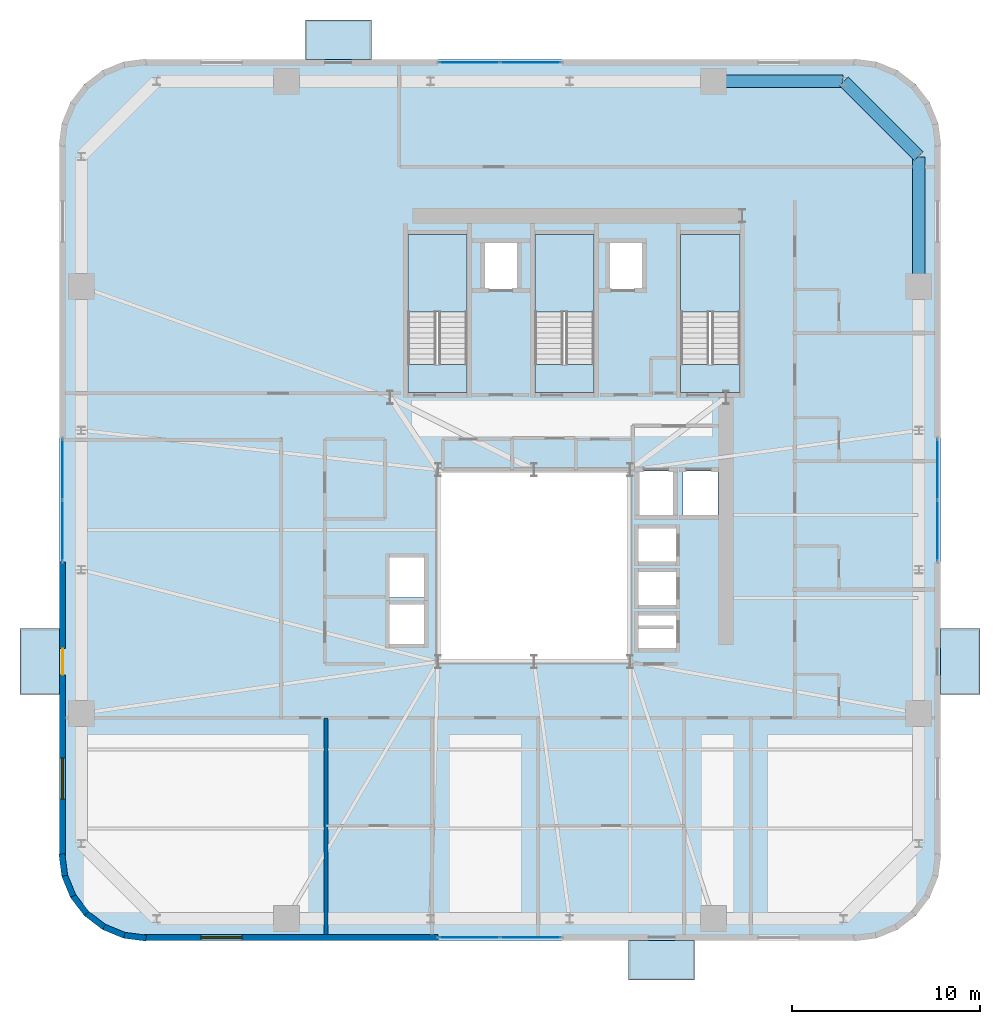
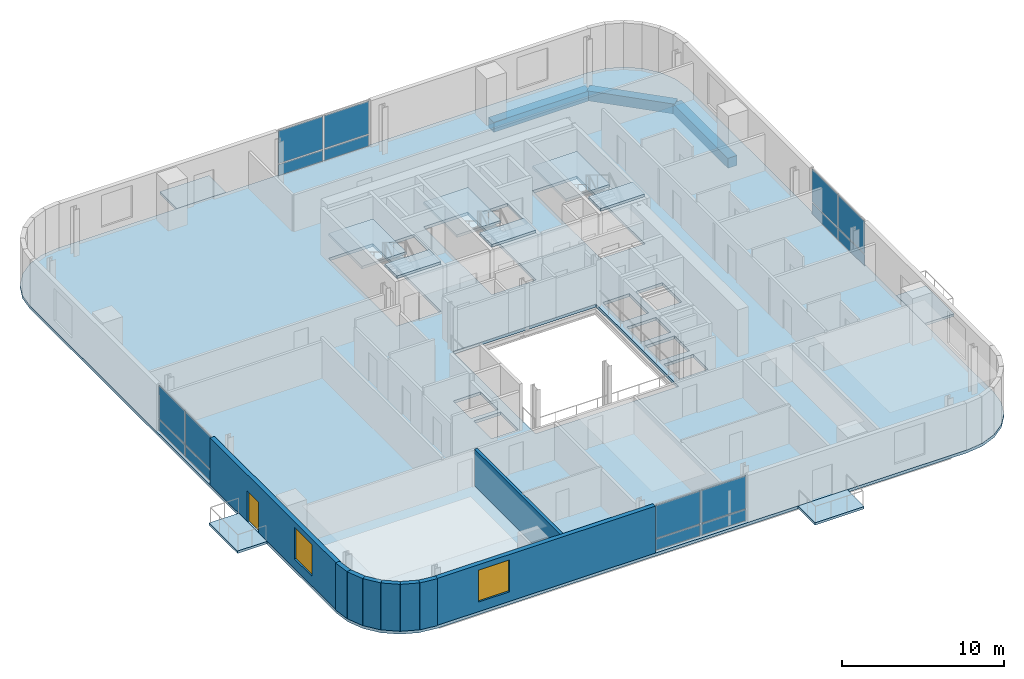
# One storey, part 7 of 15: 16 plates, 11 slabs, 9 walls, 3 beams, 2 windows, 1 door, 3 openings, 7 elements without a shape of their own.
"""IFC4 building model written with IfcOpenShell, lengths in metres."""

from ifc_helpers import new_model, si_unit, direction, frame, frame_2d, origin, origin_2d, place, context, subcontext, project, spatial, polyline, rectangle, outline, extrude, source, transform, mapped, material, layer, layer_set, material_profile, profile_set, type_object, element, fill, aggregate, save


model = new_model("IFC4")

# Units and contexts
model_context = context("Model", 3, precision=1e-05, world=origin(), true_north=direction((0.0, 1.0)))
body_context = subcontext(model_context, "Body", "Model", "MODEL_VIEW")
ifc_project = project(units=[si_unit("LENGTHUNIT", "METRE"), si_unit("AREAUNIT", "SQUARE_METRE"), si_unit("VOLUMEUNIT", "CUBIC_METRE"), si_unit("PLANEANGLEUNIT", "RADIAN"), si_unit("MASSUNIT", "GRAM", prefix="KILO")], contexts=[model_context])

# Site, building, storey
site_placement = place(None, origin())
site = spatial("IfcSite", under=ifc_project, at=site_placement, CompositionType="ELEMENT")
building_placement = place(site_placement, origin())
building = spatial("IfcBuilding", under=site, at=building_placement, Name="Vardaveli Station Tower", CompositionType="ELEMENT")
storey_placement = place(building_placement, frame((0.0, 0.0, 229.800048828125)))
storey = spatial("IfcBuildingStorey", under=building, at=storey_placement, Name="L59", CompositionType="ELEMENT", Elevation=229.800048828125)

# Beams
ifc_material_1 = material(Name="Precast concrete C45/55", Category="concrete")
ifc_material_profile = material_profile(ifc_material_1, rectangle(XDim=0.64990234375, YDim=0.75, at=origin_2d()), Name="LPB 650x750")
ifc_profile_set = profile_set([ifc_material_profile], Name="Precast concrete C45/55")
beam_type = type_object("IfcBeamType", Name="BM-LPB-750", PredefinedType="BEAM", material=ifc_profile_set)
shared_shape_1 = source(origin(), body_context, "Body", "SweptSolid", [
    extrude(rectangle(XDim=0.64990234375, YDim=0.75, at=origin_2d()), origin(), (0.0, 0.0, 1.0), 6.869873046875),
])
for number, where, z_axis, x_axis, name in (
    (1, (56.75, 36.56005859375, -0.594970703125), (0.0, 1.0, 0.0), (-1.0, 0.0, 0.0), "RBM-L59-10"),
    (2, (52.72998046875, 47.449951171875, -0.594970703125), (-1.0, 0.0, 0.0), (0.0, -1.0, 0.0), "RBM-L59-12"),
):
    element("IfcBeam", number, at=place(storey_placement, frame(where, z_axis=z_axis, x_axis=x_axis)), inside=storey, type_object=beam_type, Name=name, PredefinedType="BEAM", context=body_context, shape_type="MappedRepresentation", body=[
        mapped(shared_shape_1, transform((0.0, 0.0, 0.0), scale=1.0)),
    ])
shared_shape_2 = source(origin(), body_context, "Body", "SweptSolid", [
    extrude(rectangle(XDim=0.64990234375, YDim=0.75, at=origin_2d()), origin(), (0.0, 0.0, 1.0), 5.61669921875),
])
beam_placement = place(storey_placement, frame((56.73583984375, 43.464111328125, -0.594970703125), z_axis=(-0.707106781187, 0.707106781187, 0.0), x_axis=(-0.707106781187, -0.707106781187, 0.0)))
element("IfcBeam", 3, at=beam_placement, inside=storey, type_object=beam_type, Name="RBM-L59-11", PredefinedType="BEAM", context=body_context, shape_type="MappedRepresentation", body=[
    mapped(shared_shape_2, transform((0.0, 0.0, 0.0), scale=1.0)),
])

# Stair, slabs
ifc_material_2 = material(Name="Concrete C40/50", Category="concrete")
stair_type = type_object("IfcStairType", Name="STR-CORE-1500", PredefinedType="HALF_TURN_STAIR", material=ifc_material_2)
stair_1_placement = place(storey_placement, origin())
stair_1 = element("IfcStair", 4, at=stair_1_placement, inside=storey, type_object=stair_type, Name="L59 ST-1", PredefinedType="HALF_TURN_STAIR")
ifc_layer_1 = layer(ifc_material_2, 0.199951171875, Name="Concrete C40/50")
ifc_layer_set_1 = layer_set([ifc_layer_1], Name="Concrete C40/50")
slab_type_1 = type_object("IfcSlabType", Name="SLB-LAND-200", PredefinedType="LANDING", material=ifc_layer_set_1)
slab_1_placement = place(storey_placement, frame((0.0, 0.0, 1.675048828125)))
slab_1 = element("IfcSlab", 5, at=slab_1_placement, type_object=slab_type_1, Name="ST-1 landing 1", PredefinedType="LANDING", context=body_context, shape_type="SweptSolid", body=[
    extrude(outline(polyline([(32.75, 35.199951171875), (32.75, 39.300048828125), (29.60009765625, 39.300048828125), (29.60009765625, 35.199951171875), (32.75, 35.199951171875)])), origin(), (0.0, 0.0, 1.0), 0.199951171875),
])
slab_2_placement = place(storey_placement, frame((0.0, 0.0, 3.550048828125)))
slab_2 = element("IfcSlab", 6, at=slab_2_placement, type_object=slab_type_1, Name="ST-1 landing 2", PredefinedType="LANDING", context=body_context, shape_type="SweptSolid", body=[
    extrude(outline(polyline([(32.75, 30.89990234375), (32.75, 32.39990234375), (29.60009765625, 32.39990234375), (29.60009765625, 30.89990234375), (32.75, 30.89990234375)])), origin(), (0.0, 0.0, 1.0), 0.199951171875),
])
aggregate(stair_1, [slab_1, slab_2])

stair_2_placement = place(storey_placement, origin())
stair_2 = element("IfcStair", 7, at=stair_2_placement, inside=storey, type_object=stair_type, Name="L59 ST-2", PredefinedType="HALF_TURN_STAIR")
slab_3_placement = place(storey_placement, frame((0.0, 0.0, 1.675048828125)))
slab_3 = element("IfcSlab", 8, at=slab_3_placement, type_object=slab_type_1, Name="ST-2 landing 1", PredefinedType="LANDING", context=body_context, shape_type="SweptSolid", body=[
    extrude(outline(polyline([(39.5, 35.199951171875), (39.5, 39.300048828125), (36.35009765625, 39.300048828125), (36.35009765625, 35.199951171875), (39.5, 35.199951171875)])), origin(), (0.0, 0.0, 1.0), 0.199951171875),
])
slab_4_placement = place(storey_placement, frame((0.0, 0.0, 3.550048828125)))
slab_4 = element("IfcSlab", 9, at=slab_4_placement, type_object=slab_type_1, Name="ST-2 landing 2", PredefinedType="LANDING", context=body_context, shape_type="SweptSolid", body=[
    extrude(outline(polyline([(39.5, 30.89990234375), (39.5, 32.39990234375), (36.35009765625, 32.39990234375), (36.35009765625, 30.89990234375), (39.5, 30.89990234375)])), origin(), (0.0, 0.0, 1.0), 0.199951171875),
])
aggregate(stair_2, [slab_3, slab_4])

stair_3_placement = place(storey_placement, origin())
stair_3 = element("IfcStair", 10, at=stair_3_placement, inside=storey, type_object=stair_type, Name="L59 ST-3", PredefinedType="HALF_TURN_STAIR")
slab_5_placement = place(storey_placement, frame((0.0, 0.0, 1.675048828125)))
slab_5 = element("IfcSlab", 11, at=slab_5_placement, type_object=slab_type_1, Name="ST-3 landing 1", PredefinedType="LANDING", context=body_context, shape_type="SweptSolid", body=[
    extrude(outline(polyline([(47.25, 35.199951171875), (47.25, 39.300048828125), (44.10009765625, 39.300048828125), (44.10009765625, 35.199951171875), (47.25, 35.199951171875)])), origin(), (0.0, 0.0, 1.0), 0.199951171875),
])
slab_6_placement = place(storey_placement, frame((0.0, 0.0, 3.550048828125)))
slab_6 = element("IfcSlab", 12, at=slab_6_placement, type_object=slab_type_1, Name="ST-3 landing 2", PredefinedType="LANDING", context=body_context, shape_type="SweptSolid", body=[
    extrude(outline(polyline([(47.25, 30.89990234375), (47.25, 32.39990234375), (44.10009765625, 32.39990234375), (44.10009765625, 30.89990234375), (47.25, 30.89990234375)])), origin(), (0.0, 0.0, 1.0), 0.199951171875),
])
aggregate(stair_3, [slab_5, slab_6])

# Slabs
ifc_layer_2 = layer(ifc_material_1, 0.179931640625, Name="Precast concrete C45/55")
ifc_layer_set_2 = layer_set([ifc_layer_2], Name="Precast concrete C45/55")
slab_type_2 = type_object("IfcSlabType", Name="SLB-LOGGIA-180", PredefinedType="FLOOR", material=ifc_layer_set_2)
slab_7_placement = place(storey_placement, frame((0.0, 0.0, -0.179931640625)))
element("IfcSlab", 13, at=slab_7_placement, inside=storey, type_object=slab_type_2, Name="LOG-L59-S", PredefinedType="FLOOR", context=body_context, shape_type="SweptSolid", body=[
    extrude(outline(polyline([(41.339599609375, -0.300048828125), (44.839599609375, -0.300048828125), (44.839599609375, 1.800048828125), (41.339599609375, 1.800048828125), (41.339599609375, -0.300048828125)])), origin(), (0.0, 0.0, 1.0), 0.179931640625),
])
slab_8_placement = place(storey_placement, frame((0.0, 0.0, -0.179931640625)))
element("IfcSlab", 14, at=slab_8_placement, inside=storey, type_object=slab_type_2, Name="LOG-L59-N", PredefinedType="FLOOR", context=body_context, shape_type="SweptSolid", body=[
    extrude(outline(polyline([(24.160400390625, 48.60009765625), (27.660400390625, 48.60009765625), (27.660400390625, 50.699951171875), (24.160400390625, 50.699951171875), (24.160400390625, 48.60009765625)])), origin(), (0.0, 0.0, 1.0), 0.179931640625),
])
slab_9_placement = place(storey_placement, frame((0.0, 0.0, -0.179931640625)))
element("IfcSlab", 15, at=slab_9_placement, inside=storey, type_object=slab_type_2, Name="LOG-L59-W", PredefinedType="FLOOR", context=body_context, shape_type="SweptSolid", body=[
    extrude(outline(polyline([(9.0, 14.8603515625), (11.10009765625, 14.8603515625), (11.10009765625, 18.3603515625), (9.0, 18.3603515625), (9.0, 14.8603515625)])), origin(), (0.0, 0.0, 1.0), 0.179931640625),
])
slab_10_placement = place(storey_placement, frame((0.0, 0.0, -0.179931640625)))
element("IfcSlab", 16, at=slab_10_placement, inside=storey, type_object=slab_type_2, Name="LOG-L59-E", PredefinedType="FLOOR", context=body_context, shape_type="SweptSolid", body=[
    extrude(outline(polyline([(57.89990234375, 14.8603515625), (60.0, 14.8603515625), (60.0, 18.3603515625), (57.89990234375, 18.3603515625), (57.89990234375, 14.8603515625)])), origin(), (0.0, 0.0, 1.0), 0.179931640625),
])
ifc_layer_3 = layer(ifc_material_2, 0.219970703125, Name="Concrete C40/50")
ifc_layer_set_3 = layer_set([ifc_layer_3], Name="Concrete C40/50")
slab_type_3 = type_object("IfcSlabType", Name="SLB-TOW-220", PredefinedType="FLOOR", material=ifc_layer_set_3)
slab_11_placement = place(storey_placement, frame((0.0, 0.0, -0.219970703125)))
element("IfcSlab", 17, at=slab_11_placement, inside=storey, type_object=slab_type_3, Name="SLB-L59-MAIN", PredefinedType="FLOOR", context=body_context, shape_type="SweptSolid", body=[
    extrude(outline(polyline([(11.10009765625, 6.300048828125), (11.25341796875, 5.13525390625), (11.702880859375, 4.050048828125), (12.41796875, 3.117919921875), (13.35009765625, 2.40283203125), (14.435302734375, 1.953369140625), (15.60009765625, 1.800048828125), (53.39990234375, 1.800048828125), (54.564697265625, 1.953369140625), (55.64990234375, 2.40283203125), (56.58203125, 3.117919921875), (57.297119140625, 4.050048828125), (57.74658203125, 5.13525390625), (57.89990234375, 6.300048828125), (57.89990234375, 44.10009765625), (57.74658203125, 45.2646484375), (57.297119140625, 46.35009765625), (56.58203125, 47.281982421875), (55.64990234375, 47.9970703125), (54.564697265625, 48.44677734375), (53.39990234375, 48.60009765625), (15.60009765625, 48.60009765625), (14.435302734375, 48.44677734375), (13.35009765625, 47.9970703125), (12.41796875, 47.281982421875), (11.702880859375, 46.35009765625), (11.25341796875, 45.2646484375), (11.10009765625, 44.10009765625), (11.10009765625, 6.300048828125)]), holes=[polyline([(31.199951171875, 16.60009765625), (41.39990234375, 16.60009765625), (41.39990234375, 26.800048828125), (31.199951171875, 26.800048828125), (31.199951171875, 16.60009765625)]), polyline([(32.75, 30.89990234375), (32.75, 39.300048828125), (29.60009765625, 39.300048828125), (29.60009765625, 30.89990234375), (32.75, 30.89990234375)]), polyline([(39.5, 30.89990234375), (39.5, 39.300048828125), (36.35009765625, 39.300048828125), (36.35009765625, 30.89990234375), (39.5, 30.89990234375)]), polyline([(47.25, 30.89990234375), (47.25, 39.300048828125), (44.10009765625, 39.300048828125), (44.10009765625, 30.89990234375), (47.25, 30.89990234375)]), polyline([(33.659912109375, 36.409912109375), (35.43994140625, 36.409912109375), (35.43994140625, 38.889892578125), (33.659912109375, 38.889892578125), (33.659912109375, 36.409912109375)]), polyline([(40.31005859375, 36.409912109375), (42.090087890625, 36.409912109375), (42.090087890625, 38.889892578125), (40.31005859375, 38.889892578125), (40.31005859375, 36.409912109375)]), polyline([(41.81005859375, 21.885009765625), (43.889892578125, 21.885009765625), (43.889892578125, 23.715087890625), (41.81005859375, 23.715087890625), (41.81005859375, 21.885009765625)]), polyline([(41.81005859375, 19.5849609375), (43.889892578125, 19.5849609375), (43.889892578125, 21.4150390625), (41.81005859375, 21.4150390625), (41.81005859375, 19.5849609375)]), polyline([(41.81005859375, 17.284912109375), (43.889892578125, 17.284912109375), (43.889892578125, 19.114990234375), (41.81005859375, 19.114990234375), (41.81005859375, 17.284912109375)]), polyline([(28.5849609375, 17.510009765625), (30.514892578125, 17.510009765625), (30.514892578125, 19.68994140625), (28.5849609375, 19.68994140625), (28.5849609375, 17.510009765625)]), polyline([(28.5849609375, 20.010009765625), (30.514892578125, 20.010009765625), (30.514892578125, 22.18994140625), (28.5849609375, 22.18994140625), (28.5849609375, 20.010009765625)]), polyline([(41.860107421875, 24.360107421875), (43.739990234375, 24.360107421875), (43.739990234375, 26.739990234375), (41.860107421875, 26.739990234375), (41.860107421875, 24.360107421875)]), polyline([(44.2099609375, 24.360107421875), (46.090087890625, 24.360107421875), (46.090087890625, 26.739990234375), (44.2099609375, 26.739990234375), (44.2099609375, 24.360107421875)])]), origin(), (0.0, 0.0, 1.0), 0.219970703125),
])

# Curtain wall, plates
ifc_material_3 = material(Name="Travertine stone and solar-control glass", Category="masonry")
curtain_wall_type = type_object("IfcCurtainWallType", Name="CW-SYS-5", PredefinedType="NOTDEFINED", material=ifc_material_3)
curtain_wall_1_placement = place(storey_placement, origin())
curtain_wall_1 = element("IfcCurtainWall", 18, at=curtain_wall_1_placement, inside=storey, type_object=curtain_wall_type, Name="CW-L59-S", PredefinedType="NOTDEFINED")
ifc_material_4 = material(Name="Double-glazed low-E solar-control glass", Category="glass")
ifc_layer_4 = layer(ifc_material_4, 0.031982421875, Name="Double-glazed low-E solar-control glass")
ifc_layer_set_4 = layer_set([ifc_layer_4], Name="Double-glazed low-E solar-control glass")
plate_type = type_object("IfcPlateType", Name="CW-SYS-5-PAN", PredefinedType="CURTAIN_PANEL", material=ifc_layer_set_4)
shared_shape_3 = source(origin(), body_context, "Body", "SweptSolid", [
    extrude(rectangle(XDim=3.179931640625, YDim=0.031982421875, at=origin_2d()), origin(), (0.0, 0.0, 1.0), 0.830078125),
])
plate_1_placement = place(storey_placement, frame((32.8701171875, 1.9599609375, 0.079833984375), z_axis=(0.0, 0.0, 1.0), x_axis=(1.0, 0.0, 0.0)))
plate_1 = element("IfcPlate", 19, at=plate_1_placement, type_object=plate_type, Name="CW-5 panel 1.1", PredefinedType="CURTAIN_PANEL", context=body_context, shape_type="MappedRepresentation", body=[
    mapped(shared_shape_3, transform((0.0, 0.0, 0.0), scale=1.0)),
])
plate_2_placement = place(storey_placement, frame((36.1298828125, 1.9599609375, 0.079833984375), z_axis=(0.0, 0.0, 1.0), x_axis=(1.0, 0.0, 0.0)))
plate_2 = element("IfcPlate", 20, at=plate_2_placement, type_object=plate_type, Name="CW-5 panel 2.1", PredefinedType="CURTAIN_PANEL", context=body_context, shape_type="MappedRepresentation", body=[
    mapped(shared_shape_3, transform((0.0, 0.0, 0.0), scale=1.0)),
])

curtain_wall_2_placement = place(storey_placement, origin())
curtain_wall_2 = element("IfcCurtainWall", 21, at=curtain_wall_2_placement, inside=storey, type_object=curtain_wall_type, Name="CW-L59-N", PredefinedType="NOTDEFINED")
plate_3_placement = place(storey_placement, frame((36.1298828125, 48.43994140625, 0.079833984375), z_axis=(0.0, 0.0, 1.0), x_axis=(-1.0, 0.0, 0.0)))
plate_3 = element("IfcPlate", 22, at=plate_3_placement, type_object=plate_type, Name="CW-5 panel 1.1", PredefinedType="CURTAIN_PANEL", context=body_context, shape_type="MappedRepresentation", body=[
    mapped(shared_shape_3, transform((0.0, 0.0, 0.0), scale=1.0)),
])
plate_4_placement = place(storey_placement, frame((32.8701171875, 48.43994140625, 0.079833984375), z_axis=(0.0, 0.0, 1.0), x_axis=(-1.0, 0.0, 0.0)))
plate_4 = element("IfcPlate", 23, at=plate_4_placement, type_object=plate_type, Name="CW-5 panel 2.1", PredefinedType="CURTAIN_PANEL", context=body_context, shape_type="MappedRepresentation", body=[
    mapped(shared_shape_3, transform((0.0, 0.0, 0.0), scale=1.0)),
])

curtain_wall_3_placement = place(storey_placement, origin())
curtain_wall_3 = element("IfcCurtainWall", 24, at=curtain_wall_3_placement, inside=storey, type_object=curtain_wall_type, Name="CW-L59-W", PredefinedType="NOTDEFINED")
plate_5_placement = place(storey_placement, frame((11.260009765625, 26.830078125, 0.079833984375), z_axis=(0.0, 0.0, 1.0), x_axis=(0.0, -1.0, 0.0)))
plate_5 = element("IfcPlate", 25, at=plate_5_placement, type_object=plate_type, Name="CW-5 panel 1.1", PredefinedType="CURTAIN_PANEL", context=body_context, shape_type="MappedRepresentation", body=[
    mapped(shared_shape_3, transform((0.0, 0.0, 0.0), scale=1.0)),
])
plate_6_placement = place(storey_placement, frame((11.260009765625, 23.570068359375, 0.079833984375), z_axis=(0.0, 0.0, 1.0), x_axis=(0.0, -1.0, 0.0)))
plate_6 = element("IfcPlate", 26, at=plate_6_placement, type_object=plate_type, Name="CW-5 panel 2.1", PredefinedType="CURTAIN_PANEL", context=body_context, shape_type="MappedRepresentation", body=[
    mapped(shared_shape_3, transform((0.0, 0.0, 0.0), scale=1.0)),
])

curtain_wall_4_placement = place(storey_placement, origin())
curtain_wall_4 = element("IfcCurtainWall", 27, at=curtain_wall_4_placement, inside=storey, type_object=curtain_wall_type, Name="CW-L59-E", PredefinedType="NOTDEFINED")
plate_7_placement = place(storey_placement, frame((57.739990234375, 23.570068359375, 0.079833984375), z_axis=(0.0, 0.0, 1.0), x_axis=(0.0, 1.0, 0.0)))
plate_7 = element("IfcPlate", 28, at=plate_7_placement, type_object=plate_type, Name="CW-5 panel 1.1", PredefinedType="CURTAIN_PANEL", context=body_context, shape_type="MappedRepresentation", body=[
    mapped(shared_shape_3, transform((0.0, 0.0, 0.0), scale=1.0)),
])
plate_8_placement = place(storey_placement, frame((57.739990234375, 26.830078125, 0.079833984375), z_axis=(0.0, 0.0, 1.0), x_axis=(0.0, 1.0, 0.0)))
plate_8 = element("IfcPlate", 29, at=plate_8_placement, type_object=plate_type, Name="CW-5 panel 2.1", PredefinedType="CURTAIN_PANEL", context=body_context, shape_type="MappedRepresentation", body=[
    mapped(shared_shape_3, transform((0.0, 0.0, 0.0), scale=1.0)),
])

# Plate
shared_shape_4 = source(origin(), body_context, "Body", "SweptSolid", [
    extrude(rectangle(XDim=3.179931640625, YDim=0.031982421875, at=origin_2d()), origin(), (0.0, 0.0, 1.0), 2.4599609375),
])
plate_9_placement = place(storey_placement, frame((32.8701171875, 1.9599609375, 0.989990234375), z_axis=(0.0, 0.0, 1.0), x_axis=(1.0, 0.0, 0.0)))
plate_9 = element("IfcPlate", 30, at=plate_9_placement, type_object=plate_type, Name="CW-5 panel 1.2", PredefinedType="CURTAIN_PANEL", context=body_context, shape_type="MappedRepresentation", body=[
    mapped(shared_shape_4, transform((0.0, 0.0, 0.0), scale=1.0)),
])

plate_10_placement = place(storey_placement, frame((36.1298828125, 1.9599609375, 0.989990234375), z_axis=(0.0, 0.0, 1.0), x_axis=(1.0, 0.0, 0.0)))
plate_10 = element("IfcPlate", 31, at=plate_10_placement, type_object=plate_type, Name="CW-5 panel 2.2", PredefinedType="CURTAIN_PANEL", context=body_context, shape_type="MappedRepresentation", body=[
    mapped(shared_shape_4, transform((0.0, 0.0, 0.0), scale=1.0)),
])

aggregate(curtain_wall_1, [plate_1, plate_9, plate_2, plate_10])

plate_11_placement = place(storey_placement, frame((36.1298828125, 48.43994140625, 0.989990234375), z_axis=(0.0, 0.0, 1.0), x_axis=(-1.0, 0.0, 0.0)))
plate_11 = element("IfcPlate", 32, at=plate_11_placement, type_object=plate_type, Name="CW-5 panel 1.2", PredefinedType="CURTAIN_PANEL", context=body_context, shape_type="MappedRepresentation", body=[
    mapped(shared_shape_4, transform((0.0, 0.0, 0.0), scale=1.0)),
])

plate_12_placement = place(storey_placement, frame((32.8701171875, 48.43994140625, 0.989990234375), z_axis=(0.0, 0.0, 1.0), x_axis=(-1.0, 0.0, 0.0)))
plate_12 = element("IfcPlate", 33, at=plate_12_placement, type_object=plate_type, Name="CW-5 panel 2.2", PredefinedType="CURTAIN_PANEL", context=body_context, shape_type="MappedRepresentation", body=[
    mapped(shared_shape_4, transform((0.0, 0.0, 0.0), scale=1.0)),
])

aggregate(curtain_wall_2, [plate_3, plate_11, plate_4, plate_12])

plate_13_placement = place(storey_placement, frame((11.260009765625, 26.830078125, 0.989990234375), z_axis=(0.0, 0.0, 1.0), x_axis=(0.0, -1.0, 0.0)))
plate_13 = element("IfcPlate", 34, at=plate_13_placement, type_object=plate_type, Name="CW-5 panel 1.2", PredefinedType="CURTAIN_PANEL", context=body_context, shape_type="MappedRepresentation", body=[
    mapped(shared_shape_4, transform((0.0, 0.0, 0.0), scale=1.0)),
])

plate_14_placement = place(storey_placement, frame((11.260009765625, 23.570068359375, 0.989990234375), z_axis=(0.0, 0.0, 1.0), x_axis=(0.0, -1.0, 0.0)))
plate_14 = element("IfcPlate", 35, at=plate_14_placement, type_object=plate_type, Name="CW-5 panel 2.2", PredefinedType="CURTAIN_PANEL", context=body_context, shape_type="MappedRepresentation", body=[
    mapped(shared_shape_4, transform((0.0, 0.0, 0.0), scale=1.0)),
])

aggregate(curtain_wall_3, [plate_5, plate_13, plate_6, plate_14])

plate_15_placement = place(storey_placement, frame((57.739990234375, 23.570068359375, 0.989990234375), z_axis=(0.0, 0.0, 1.0), x_axis=(0.0, 1.0, 0.0)))
plate_15 = element("IfcPlate", 36, at=plate_15_placement, type_object=plate_type, Name="CW-5 panel 1.2", PredefinedType="CURTAIN_PANEL", context=body_context, shape_type="MappedRepresentation", body=[
    mapped(shared_shape_4, transform((0.0, 0.0, 0.0), scale=1.0)),
])

plate_16_placement = place(storey_placement, frame((57.739990234375, 26.830078125, 0.989990234375), z_axis=(0.0, 0.0, 1.0), x_axis=(0.0, 1.0, 0.0)))
plate_16 = element("IfcPlate", 37, at=plate_16_placement, type_object=plate_type, Name="CW-5 panel 2.2", PredefinedType="CURTAIN_PANEL", context=body_context, shape_type="MappedRepresentation", body=[
    mapped(shared_shape_4, transform((0.0, 0.0, 0.0), scale=1.0)),
])

aggregate(curtain_wall_4, [plate_7, plate_15, plate_8, plate_16])

# Wall, opening, window
ifc_layer_5 = layer(ifc_material_1, 0.320068359375, Name="Precast concrete C45/55")
ifc_layer_set_5 = layer_set([ifc_layer_5], Name="Precast concrete C45/55")
wall_type_1 = type_object("IfcWallType", Name="WAL-EXT-STONE-320", PredefinedType="SOLIDWALL", material=ifc_layer_set_5)
shared_shape_5 = source(origin(), body_context, "Body", "SweptSolid", [
    extrude(rectangle(XDim=15.599853515625, YDim=0.320068359375, at=frame_2d((7.7998046875, 0.0))), origin(), (0.0, 0.0, 1.0), 3.530029296875),
])
wall_1_placement = place(storey_placement, frame((15.60009765625, 1.9599609375, 0.0), z_axis=(0.0, 0.0, 1.0), x_axis=(1.0, 0.0, 0.0)))
wall_1 = element("IfcWall", 38, at=wall_1_placement, inside=storey, type_object=wall_type_1, Name="EW-L59-S1", PredefinedType="SOLIDWALL", context=body_context, shape_type="MappedRepresentation", body=[
    mapped(shared_shape_5, transform((0.0, 0.0, 0.0), scale=1.0)),
])
shared_shape_6 = source(origin(), body_context, "Body", "SweptSolid", [
    extrude(rectangle(XDim=2.199951171875, YDim=2.39990234375, at=frame_2d((1.10009765625, 1.199951171875))), frame((0.0, 0.169921875, 0.0), z_axis=(0.0, -1.0, 0.0), x_axis=(1.0, 0.0, 0.0)), (0.0, 0.0, 1.0), 0.340087890625),
])
opening_1_placement = place(wall_1_placement, frame((3.0048828125, 0.0, 0.719970703125)))
opening_1 = element("IfcOpeningElement", 39, at=opening_1_placement, cuts=wall_1, Name="Opening W-03", PredefinedType="OPENING", context=body_context, shape_type="MappedRepresentation", body=[
    mapped(shared_shape_6, transform((0.0, 0.0, 0.0), scale=1.0)),
])
ifc_material_5 = material(Name="Low-E solar-control glass", Category="glass")
window_type = type_object("IfcWindowType", Name="WIN-LOG-2200x2400", PartitioningType="SINGLE_PANEL", PredefinedType="WINDOW", material=ifc_material_5)
shared_shape_7 = source(origin(), body_context, "Body", "SweptSolid", [
    extrude(rectangle(XDim=2.199951171875, YDim=2.39990234375, at=frame_2d((1.10009765625, 1.199951171875))), frame((0.0, 0.030029296875, 0.0), z_axis=(0.0, -1.0, 0.0), x_axis=(1.0, 0.0, 0.0)), (0.0, 0.0, 1.0), 0.06005859375),
])
window_1_placement = place(opening_1_placement, origin())
window_1 = element("IfcWindow", 40, at=window_1_placement, inside=storey, type_object=window_type, Name="WN-L59-S1", OverallHeight=2.39990234375, OverallWidth=2.199951171875, PartitioningType="SINGLE_PANEL", PredefinedType="WINDOW", context=body_context, shape_type="MappedRepresentation", body=[
    mapped(shared_shape_7, transform((0.0, 0.0, 0.0), scale=1.0)),
])
fill(opening_1, window_1)

# Wall, openings, door, window
wall_2_placement = place(storey_placement, frame((11.260009765625, 21.89990234375, 0.0), z_axis=(0.0, 0.0, 1.0), x_axis=(0.0, -1.0, 0.0)))
wall_2 = element("IfcWall", 41, at=wall_2_placement, inside=storey, type_object=wall_type_1, Name="EW-L59-W2", PredefinedType="SOLIDWALL", context=body_context, shape_type="MappedRepresentation", body=[
    mapped(shared_shape_5, transform((0.0, 0.0, 0.0), scale=1.0)),
])
shared_shape_8 = source(origin(), body_context, "Body", "SweptSolid", [
    extrude(rectangle(XDim=1.39990234375, YDim=2.300048828125, at=frame_2d((0.699951171875, 1.14990234375))), frame((0.0, 0.169921875, 0.0), z_axis=(0.0, -1.0, 0.0), x_axis=(1.0, 0.0, 0.0)), (0.0, 0.0, 1.0), 0.340087890625),
])
opening_2_placement = place(wall_2_placement, frame((4.589599609375, 0.0, 0.0)))
opening_2 = element("IfcOpeningElement", 42, at=opening_2_placement, cuts=wall_2, Name="Opening D-09", PredefinedType="OPENING", context=body_context, shape_type="MappedRepresentation", body=[
    mapped(shared_shape_8, transform((0.0, 0.0, 0.0), scale=1.0)),
])
opening_3_placement = place(wall_2_placement, frame((10.39501953125, 0.0, 0.719970703125)))
opening_3 = element("IfcOpeningElement", 43, at=opening_3_placement, cuts=wall_2, Name="Opening W-03", PredefinedType="OPENING", context=body_context, shape_type="MappedRepresentation", body=[
    mapped(shared_shape_6, transform((0.0, 0.0, 0.0), scale=1.0)),
])
ifc_material_6 = material(Name="Thermally broken aluminium glass", Category="aluminium")
door_type = type_object("IfcDoorType", Name="DR-LOG-1400x2300", OperationType="DOUBLE_DOOR_SLIDING", PredefinedType="DOOR", material=ifc_material_6)
shared_shape_9 = source(origin(), body_context, "Body", "SweptSolid", [
    extrude(rectangle(XDim=1.39990234375, YDim=2.300048828125, at=frame_2d((0.699951171875, 1.14990234375))), frame((0.0, 0.02490234375, 0.0), z_axis=(0.0, -1.0, 0.0), x_axis=(1.0, 0.0, 0.0)), (0.0, 0.0, 1.0), 0.050048828125),
])
door_placement = place(opening_2_placement, frame((1.39990234375, 0.0, 0.0), z_axis=(0.0, 0.0, 1.0), x_axis=(-1.0, 0.0, 0.0)))
door = element("IfcDoor", 44, at=door_placement, inside=storey, type_object=door_type, Name="DLG-L59-W", OperationType="DOUBLE_DOOR_SLIDING", OverallHeight=2.300048828125, OverallWidth=1.39990234375, PredefinedType="DOOR", context=body_context, shape_type="MappedRepresentation", body=[
    mapped(shared_shape_9, transform((0.0, 0.0, 0.0), scale=1.0)),
])
fill(opening_2, door)
window_2_placement = place(opening_3_placement, origin())
window_2 = element("IfcWindow", 45, at=window_2_placement, inside=storey, type_object=window_type, Name="WN-L59-W2", OverallHeight=2.39990234375, OverallWidth=2.199951171875, PartitioningType="SINGLE_PANEL", PredefinedType="WINDOW", context=body_context, shape_type="MappedRepresentation", body=[
    mapped(shared_shape_7, transform((0.0, 0.0, 0.0), scale=1.0)),
])
fill(opening_3, window_2)

# Walls
shared_shape_10 = source(origin(), body_context, "Body", "SweptSolid", [
    extrude(rectangle(XDim=1.170654296875, YDim=0.320068359375, at=frame_2d((0.58544921875, 0.0))), origin(), (0.0, 0.0, 1.0), 3.530029296875),
])
wall_3_placement = place(storey_placement, frame((11.224365234375, 6.400634765625, 0.0), z_axis=(0.0, 0.0, 1.0), x_axis=(0.128269133229, -0.991739395941, 0.0)))
element("IfcWall", 46, at=wall_3_placement, inside=storey, type_object=wall_type_1, Name="EW-L59-CR1-1", PredefinedType="SOLIDWALL", context=body_context, shape_type="MappedRepresentation", body=[
    mapped(shared_shape_10, transform((0.0, 0.0, 0.0), scale=1.0)),
])
shared_shape_11 = source(origin(), body_context, "Body", "SweptSolid", [
    extrude(rectangle(XDim=1.1689453125, YDim=0.320068359375, at=frame_2d((0.58447265625, 0.0))), origin(), (0.0, 0.0, 1.0), 3.530029296875),
])
for number, where, z_axis, x_axis, name in (
    (47, (11.37451171875, 5.23974609375, 0.0), (0.0, 0.0, 1.0), (0.381127904695, -0.924522320046, 0.0), "EW-L59-CR1-2"),
    (48, (11.820068359375, 4.158935546875, 0.0), (0.0, 0.0, 1.0), (0.608387696831, -0.793639975269, 0.0), "EW-L59-CR1-3"),
):
    element("IfcWall", number, at=place(storey_placement, frame(where, z_axis=z_axis, x_axis=x_axis)), inside=storey, type_object=wall_type_1, Name=name, PredefinedType="SOLIDWALL", context=body_context, shape_type="MappedRepresentation", body=[
        mapped(shared_shape_11, transform((0.0, 0.0, 0.0), scale=1.0)),
    ])
shared_shape_12 = source(origin(), body_context, "Body", "SweptSolid", [
    extrude(rectangle(XDim=1.168701171875, YDim=0.320068359375, at=frame_2d((0.58447265625, 0.0))), origin(), (0.0, 0.0, 1.0), 3.530029296875),
])
wall_4_placement = place(storey_placement, frame((12.53125, 3.231201171875, 0.0), z_axis=(0.0, 0.0, 1.0), x_axis=(0.793663520347, -0.608356981114, 0.0)))
element("IfcWall", 49, at=wall_4_placement, inside=storey, type_object=wall_type_1, Name="EW-L59-CR1-4", PredefinedType="SOLIDWALL", context=body_context, shape_type="MappedRepresentation", body=[
    mapped(shared_shape_12, transform((0.0, 0.0, 0.0), scale=1.0)),
])
shared_shape_13 = source(origin(), body_context, "Body", "SweptSolid", [
    extrude(rectangle(XDim=1.16943359375, YDim=0.320068359375, at=frame_2d((0.584716796875, 0.0))), origin(), (0.0, 0.0, 1.0), 3.530029296875),
])
wall_5_placement = place(storey_placement, frame((13.458740234375, 2.520263671875, 0.0), z_axis=(0.0, 0.0, 1.0), x_axis=(0.924479075121, -0.381232789334, 0.0)))
element("IfcWall", 50, at=wall_5_placement, inside=storey, type_object=wall_type_1, Name="EW-L59-CR1-5", PredefinedType="SOLIDWALL", context=body_context, shape_type="MappedRepresentation", body=[
    mapped(shared_shape_13, transform((0.0, 0.0, 0.0), scale=1.0)),
])
shared_shape_14 = source(origin(), body_context, "Body", "SweptSolid", [
    extrude(rectangle(XDim=1.170166015625, YDim=0.320068359375, at=frame_2d((0.5849609375, 0.0))), origin(), (0.0, 0.0, 1.0), 3.530029296875),
])
wall_6_placement = place(storey_placement, frame((14.539794921875, 2.074462890625, 0.0), z_axis=(0.0, 0.0, 1.0), x_axis=(0.991762485493, -0.128090485085, 0.0)))
element("IfcWall", 51, at=wall_6_placement, inside=storey, type_object=wall_type_1, Name="EW-L59-CR1-6", PredefinedType="SOLIDWALL", context=body_context, shape_type="MappedRepresentation", body=[
    mapped(shared_shape_14, transform((0.0, 0.0, 0.0), scale=1.0)),
])
ifc_material_7 = material(Name="Acoustic twin-stud gypsum partition")
ifc_layer_6 = layer(ifc_material_7, 0.199951171875, Name="Acoustic twin-stud gypsum partition")
ifc_layer_set_6 = layer_set([ifc_layer_6], Name="Acoustic twin-stud gypsum partition")
wall_type_2 = type_object("IfcWallType", Name="WAL-PARTY-200", PredefinedType="PARTITIONING", material=ifc_layer_set_6)
shared_shape_15 = source(origin(), body_context, "Body", "SweptSolid", [
    extrude(rectangle(XDim=11.5078125, YDim=0.199951171875, at=frame_2d((5.75390625, 0.0))), origin(), (0.0, 0.0, 1.0), 2.77197265625),
])
wall_7_placement = place(storey_placement, frame((25.25, 2.1220703125, 0.0), z_axis=(0.0, 0.0, 1.0), x_axis=(0.0, 1.0, 0.0)))
element("IfcWall", 52, at=wall_7_placement, inside=storey, type_object=wall_type_2, Name="W-L59-PS1", PredefinedType="PARTITIONING", context=body_context, shape_type="MappedRepresentation", body=[
    mapped(shared_shape_15, transform((0.0, 0.0, 0.0), scale=1.0)),
])

save(model, "model.ifc")
